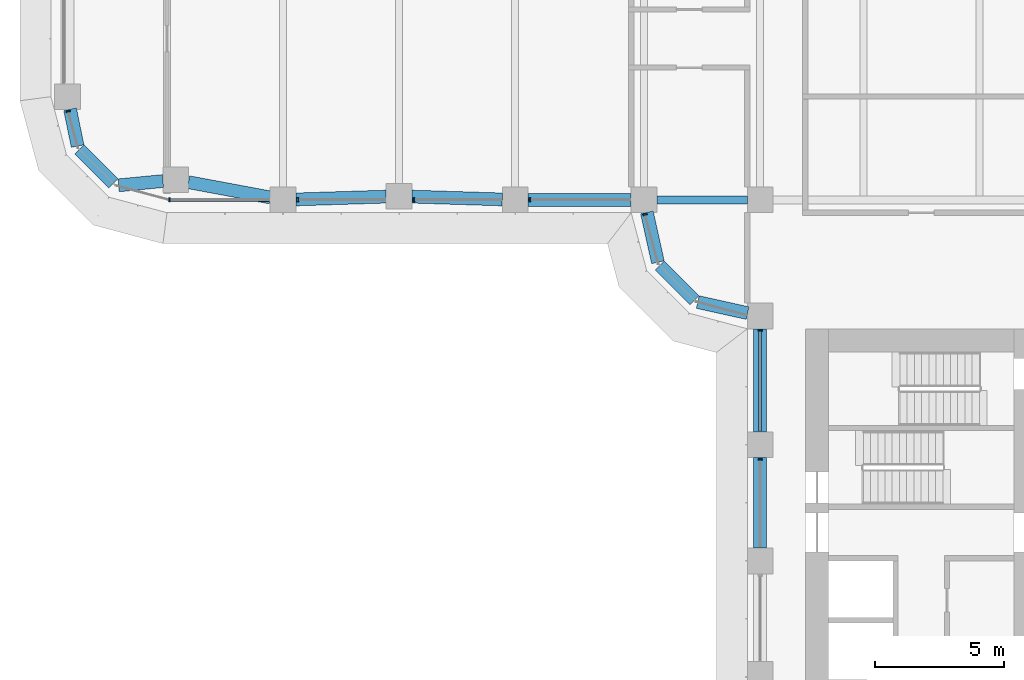
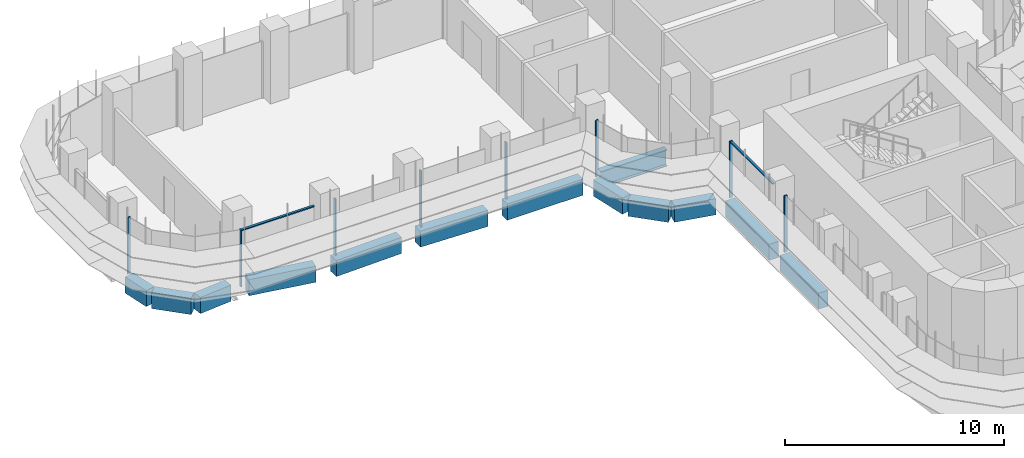
# One storey, part 3 of 23: 13 beams, 10 members, 4 elements without a shape of their own.
"""IFC4 building model written with IfcOpenShell, lengths in metres."""

import ifcopenshell
import ifcopenshell.guid

model = None  # the IFC model being written
_history = None  # IfcOwnerHistory: only IFC2X3 demands one
_inside = {}  # id of a spatial element -> (the spatial element, [elements in it])
_under = {}  # id of a project, library or spatial element -> (it, [spatial elements below it])
_declared = {}  # id of a project -> (the project, [libraries it declares])
_typed = {}  # id of a type object -> (the type object, [elements of that type])
_made_of = {}  # id of a material, layer set ... -> (it, [elements and type objects made of it])


def new_model(schema):
    """Start an empty IFC model of exactly this schema.

    Asked for "IFC4X3", IfcOpenShell would pick the latest addendum, in which some entities
    have other attributes; the version numbers below select the first issue.
    IFC2X3 requires an IfcOwnerHistory on every rooted entity: one is made here for all.
    """
    global model, _history
    if schema == "IFC4X3":
        model = ifcopenshell.file(schema_version=(4, 3, 0, 0))
    else:
        model = ifcopenshell.file(schema=schema)
    _inside.clear()
    _under.clear()
    _declared.clear()
    _typed.clear()
    _made_of.clear()
    _history = None
    if model.schema == "IFC2X3":
        org = make("IfcOrganization", Name="unknown")
        user = make(
            "IfcPersonAndOrganization",
            ThePerson=make("IfcPerson", FamilyName="unknown"),
            TheOrganization=org,
        )
        app = make(
            "IfcApplication",
            ApplicationDeveloper=org,
            Version="unknown",
            ApplicationFullName="unknown",
            ApplicationIdentifier="unknown",
        )
        _history = make(
            "IfcOwnerHistory",
            OwningUser=user,
            OwningApplication=app,
            ChangeAction="ADDED",
            CreationDate=0,
        )
    return model


def make(cls, **values):
    """One entity of the class cls with the attributes given. An attribute that is None is left unset."""
    return model.create_entity(
        cls, **{name: value for name, value in values.items() if value is not None}
    )


def rooted(cls, **values):
    """An entity with a GlobalId (a new one), such as an element, a storey or a relation."""
    return make(cls, GlobalId=ifcopenshell.guid.new(), OwnerHistory=_history, **values)


def si_unit(unit_type, name, prefix=None):
    """IfcSIUnit, for example si_unit("LENGTHUNIT", "METRE", prefix="MILLI")."""
    return make("IfcSIUnit", UnitType=unit_type, Prefix=prefix, Name=name)


def assignment(units):
    """IfcUnitAssignment: the units of a project."""
    return None if units is None else make("IfcUnitAssignment", Units=units)


def point(xyz):
    """IfcCartesianPoint."""
    return None if xyz is None else make("IfcCartesianPoint", Coordinates=xyz)


def direction(xyz):
    """IfcDirection."""
    return None if xyz is None else make("IfcDirection", DirectionRatios=xyz)


def frame(location, z_axis=None, x_axis=None):
    """IfcAxis2Placement3D, a coordinate frame: its origin and axes. An axis left out is left unset."""
    return make(
        "IfcAxis2Placement3D",
        Location=point(location),
        Axis=direction(z_axis),
        RefDirection=direction(x_axis),
    )


def frame_2d(location, x_axis=None):
    """IfcAxis2Placement2D, a coordinate frame in the plane: its origin and x axis."""
    return make(
        "IfcAxis2Placement2D", Location=point(location), RefDirection=direction(x_axis)
    )


def origin():
    """The frame at (0, 0, 0) with its axes left unset."""
    return frame((0.0, 0.0, 0.0))


def origin_2d():
    """The frame at (0, 0) in the plane with its x axis left unset."""
    return frame_2d((0.0, 0.0))


def place(relative_to, where):
    """IfcLocalPlacement: puts the frame where relative to a parent placement (None: the world)."""
    return make(
        "IfcLocalPlacement", PlacementRelTo=relative_to, RelativePlacement=where
    )


def context(
    kind, dimensions, precision=None, world=None, true_north=None, identifier=None
):
    """IfcGeometricRepresentationContext, for example the 3D "Model" context."""
    return make(
        "IfcGeometricRepresentationContext",
        ContextIdentifier=identifier,
        ContextType=kind,
        CoordinateSpaceDimension=dimensions,
        Precision=precision,
        WorldCoordinateSystem=world,
        TrueNorth=true_north,
    )


def subcontext(parent, identifier, kind, view, scale=None):
    """IfcGeometricRepresentationSubContext, for example "Body" below "Model"."""
    return make(
        "IfcGeometricRepresentationSubContext",
        ContextIdentifier=identifier,
        ContextType=kind,
        ParentContext=parent,
        TargetScale=scale,
        TargetView=view,
    )


def project(units=None, contexts=None):
    """IfcProject with its units and contexts."""
    return rooted(
        "IfcProject",
        Name="project",
        RepresentationContexts=contexts,
        UnitsInContext=assignment(units),
    )


def spatial(cls, under=None, at=None, **own):
    """A site, building, storey or space (cls), placed at a placement, below another one or the project."""
    s = rooted(cls, ObjectPlacement=at, **own)
    if under is not None:
        _under.setdefault(under.id(), (under, []))[1].append(s)
    return s


def polyline(points):
    """IfcPolyline through the points."""
    return make("IfcPolyline", Points=[point(p) for p in points])


def profile(cls, at=None, kind="AREA", **sizes):
    """A parametric profile (cls). Its sizes go by their IFC names, for example OverallWidth=200.0."""
    return make(cls, ProfileType=kind, Position=at, **sizes)


def rectangle(**sizes):
    """IfcRectangleProfileDef."""
    return profile("IfcRectangleProfileDef", **sizes)


def i_section(**sizes):
    """IfcIShapeProfileDef."""
    return profile("IfcIShapeProfileDef", **sizes)


def outline(outer, holes=None, kind="AREA"):
    """IfcArbitraryClosedProfileDef: a profile drawn as a closed curve; with holes, ...WithVoids."""
    if holes is None:
        return make("IfcArbitraryClosedProfileDef", ProfileType=kind, OuterCurve=outer)
    return make(
        "IfcArbitraryProfileDefWithVoids",
        ProfileType=kind,
        OuterCurve=outer,
        InnerCurves=holes,
    )


def extrude(swept, where, along, depth):
    """IfcExtrudedAreaSolid: the profile swept, set in the frame where, extruded along a direction by depth."""
    return make(
        "IfcExtrudedAreaSolid",
        SweptArea=swept,
        Position=where,
        ExtrudedDirection=direction(along),
        Depth=depth,
    )


def shape(context_of_items, identifier, shape_type, items):
    """IfcShapeRepresentation: the items that make up one representation, for example the "Body"."""
    return make(
        "IfcShapeRepresentation",
        ContextOfItems=context_of_items,
        RepresentationIdentifier=identifier,
        RepresentationType=shape_type,
        Items=items,
    )


def source(mapping_origin, context_of_items, identifier, shape_type, items):
    """IfcRepresentationMap: a shape defined once, which mapped items show again and again."""
    return make(
        "IfcRepresentationMap",
        MappingOrigin=mapping_origin,
        MappedRepresentation=shape(context_of_items, identifier, shape_type, items),
    )


def transform(
    local_origin,
    x_axis=None,
    y_axis=None,
    z_axis=None,
    scale=None,
    scale2=None,
    scale3=None,
    uniform=True,
):
    """IfcCartesianTransformationOperator3D, or its non-uniform kind. x_axis, y_axis, z_axis: its Axis1, 2, 3."""
    if uniform:
        return make(
            "IfcCartesianTransformationOperator3D",
            Axis1=direction(x_axis),
            Axis2=direction(y_axis),
            LocalOrigin=point(local_origin),
            Scale=scale,
            Axis3=direction(z_axis),
        )
    return make(
        "IfcCartesianTransformationOperator3DnonUniform",
        Axis1=direction(x_axis),
        Axis2=direction(y_axis),
        LocalOrigin=point(local_origin),
        Scale=scale,
        Axis3=direction(z_axis),
        Scale2=scale2,
        Scale3=scale3,
    )


def mapped(mapping_source, mapping_target):
    """IfcMappedItem: shows the shape of a source again, moved by a transform."""
    return make(
        "IfcMappedItem", MappingSource=mapping_source, MappingTarget=mapping_target
    )


def material(Name=None, Category=None):
    """IfcMaterial."""
    return make("IfcMaterial", Name=Name, Category=Category)


def material_profile(
    of_material, cross_section, Name=None, Category=None, Priority=None
):
    """IfcMaterialProfile: a cross section and its material."""
    return make(
        "IfcMaterialProfile",
        Name=Name,
        Material=of_material,
        Profile=cross_section,
        Priority=Priority,
        Category=Category,
    )


def profile_set(profiles, Name=None, composite=None):
    """IfcMaterialProfileSet."""
    return make(
        "IfcMaterialProfileSet",
        Name=Name,
        MaterialProfiles=profiles,
        CompositeProfile=composite,
    )


def made_of(thing, what):
    """Note that an element or type object is made of a material, layer set ...; save() writes the relation."""
    if what is not None:
        _made_of.setdefault(what.id(), (what, []))[1].append(thing)
    return thing


def type_object(cls, material=None, **own):
    """A type object (cls), such as IfcWallType, which elements share."""
    return made_of(rooted(cls, **own), material)


def element(
    cls,
    number,
    at=None,
    inside=None,
    cuts=None,
    type_object=None,
    material=None,
    context=None,
    identifier="Body",
    shape_type=None,
    held_by="IfcProductDefinitionShape",
    body=None,
    shapes=None,
    **own,
):
    """One element of the class cls, such as IfcWall. Its Tag is "e" and its number.

    at: its placement. inside: the storey or other place that contains it. cuts: it is an
    opening in that element (IfcRelVoidsElement). A single representation is given by context,
    identifier, shape_type and body (its items); several are given by shapes. held_by: the class
    of the entity that holds the representations. save() writes the other relations.
    """
    e = rooted(cls, Tag="e%d" % number, ObjectPlacement=at, **own)
    if body is not None:
        shapes = [shape(context, identifier, shape_type, body)]
    if shapes is not None:
        e.Representation = make(held_by, Representations=shapes)
    if inside is not None:
        _inside.setdefault(inside.id(), (inside, []))[1].append(e)
    if cuts is not None:
        rooted(
            "IfcRelVoidsElement", RelatingBuildingElement=cuts, RelatedOpeningElement=e
        )
    if type_object is not None:
        _typed.setdefault(type_object.id(), (type_object, []))[1].append(e)
    return made_of(e, material)


def aggregate(whole, parts):
    """IfcRelAggregates: a whole, such as a stair, and the parts it consists of."""
    return rooted("IfcRelAggregates", RelatingObject=whole, RelatedObjects=parts)


def save(model, path):
    """Write the relations noted so far, then the file.

    IfcRelAggregates (storeys below a building ...), IfcRelContainedInSpatialStructure (elements
    in a storey), IfcRelDefinesByType, IfcRelAssociatesMaterial and IfcRelDeclares: one each for
    every whole, place, type object, material and project.
    """
    for whole, parts in _under.values():
        aggregate(whole, parts)
    for where, things in _inside.values():
        rooted(
            "IfcRelContainedInSpatialStructure",
            RelatedElements=things,
            RelatingStructure=where,
        )
    for kind, things in _typed.values():
        rooted("IfcRelDefinesByType", RelatedObjects=things, RelatingType=kind)
    for what, things in _made_of.values():
        rooted("IfcRelAssociatesMaterial", RelatedObjects=things, RelatingMaterial=what)
    for by, libraries in _declared.values():
        rooted("IfcRelDeclares", RelatingContext=by, RelatedDefinitions=libraries)
    model.write(path)


model = new_model("IFC4")

# Units and contexts
model_context = context("Model", 3, precision=1e-05, world=origin(), true_north=direction((0.0, 1.0)))
body_context = subcontext(model_context, "Body", "Model", "MODEL_VIEW")
ifc_project = project(units=[si_unit("LENGTHUNIT", "METRE"), si_unit("AREAUNIT", "SQUARE_METRE"), si_unit("VOLUMEUNIT", "CUBIC_METRE"), si_unit("PLANEANGLEUNIT", "RADIAN"), si_unit("MASSUNIT", "GRAM", prefix="KILO")], contexts=[model_context])

# Site, building, storey
site_placement = place(None, origin())
site = spatial("IfcSite", under=ifc_project, at=site_placement, CompositionType="ELEMENT")
building_placement = place(site_placement, origin())
building = spatial("IfcBuilding", under=site, at=building_placement, Name="Zarbagh Exchange Tower", CompositionType="ELEMENT")
storey_placement = place(building_placement, frame((0.0, 0.0, 69.0)))
storey = spatial("IfcBuildingStorey", under=building, at=storey_placement, Name="L15", CompositionType="ELEMENT", Elevation=69.0)

# Beams
ifc_material_1 = material(Name="Steel ASTM A992 Gr 50", Category="steel")
ifc_material_profile_1 = material_profile(ifc_material_1, i_section(OverallWidth=0.3046875, OverallDepth=0.91943359375, WebThickness=0.017333984375, FlangeThickness=0.02783203125, at=origin_2d()), Name="W36X170")
ifc_profile_set_1 = profile_set([ifc_material_profile_1], Name="Steel ASTM A992 Gr 50")
beam_type_1 = type_object("IfcBeamType", Name="Floor girder W36X170", PredefinedType="BEAM", material=ifc_profile_set_1)
beam_1_placement = place(storey_placement, frame((-10.25, -6.25, -0.609619140625), z_axis=(1.0, 0.0, 0.0), x_axis=(0.0, 1.0, 0.0)))
element("IfcBeam", 1, at=beam_1_placement, inside=storey, type_object=beam_type_1, Name="Steel girder", PredefinedType="BEAM", context=body_context, shape_type="SweptSolid", body=[
    extrude(i_section(OverallWidth=0.3046875, OverallDepth=0.91943359375, WebThickness=0.017333984375, FlangeThickness=0.02783203125, at=origin_2d()), origin(), (0.0, 0.0, 1.0), 3.5),
])
ifc_material_2 = material(Name="Concrete C60/75", Category="concrete")
ifc_material_profile_2 = material_profile(ifc_material_2, rectangle(XDim=0.5, YDim=0.89990234375, at=origin_2d()), Name="RC spandrel beam 500 x 900 C60/75")
ifc_profile_set_2 = profile_set([ifc_material_profile_2], Name="Concrete C60/75")
beam_type_2 = type_object("IfcBeamType", Name="RC spandrel beam 500 x 900 C60/75", PredefinedType="SPANDREL", material=ifc_profile_set_2)
beam_2_placement = place(storey_placement, frame((-6.25, -19.75, -0.60009765625), z_axis=(0.0, 1.0, 0.0), x_axis=(-1.0, 0.0, 0.0)))
element("IfcBeam", 2, at=beam_2_placement, inside=storey, type_object=beam_type_2, Name="RC spandrel beam", PredefinedType="SPANDREL", context=body_context, shape_type="SweptSolid", body=[
    extrude(rectangle(XDim=0.5, YDim=0.89990234375, at=origin_2d()), origin(), (0.0, 0.0, 1.0), 3.5),
])
beam_3_placement = place(storey_placement, frame((-6.25, -15.25, -0.60009765625), z_axis=(0.0, 1.0, 0.0), x_axis=(-1.0, 0.0, 0.0)))
element("IfcBeam", 3, at=beam_3_placement, inside=storey, type_object=beam_type_2, Name="RC spandrel beam", PredefinedType="SPANDREL", context=body_context, shape_type="SweptSolid", body=[
    extrude(rectangle(XDim=0.5, YDim=0.89990234375, at=origin_2d()), origin(), (0.0, 0.0, 1.0), 4.0),
])
beam_4_placement = place(storey_placement, frame((-6.73828125, -10.64208984375, -0.60009765625), z_axis=(-0.976375426825, 0.216081063242, 0.0), x_axis=(-0.216081063242, -0.976375426825, 0.0)))
element("IfcBeam", 4, at=beam_4_placement, inside=storey, type_object=beam_type_2, Name="RC spandrel beam", PredefinedType="SPANDREL", context=body_context, shape_type="SweptSolid", body=[
    extrude(rectangle(XDim=0.5, YDim=0.89990234375, at=origin_2d()), origin(), (0.0, 0.0, 1.0), 1.978271484375),
])
beam_5_placement = place(storey_placement, frame((-8.792724609375, -10.147216796875, -0.60009765625), z_axis=(-0.707106781187, 0.707106781187, 0.0), x_axis=(-0.707106781187, -0.707106781187, 0.0)))
element("IfcBeam", 5, at=beam_5_placement, inside=storey, type_object=beam_type_2, Name="RC spandrel beam", PredefinedType="SPANDREL", context=body_context, shape_type="SweptSolid", body=[
    extrude(rectangle(XDim=0.5, YDim=0.89990234375, at=origin_2d()), origin(), (0.0, 0.0, 1.0), 1.91552734375),
])
beam_6_placement = place(storey_placement, frame((-10.214599609375, -8.669921875, -0.60009765625), z_axis=(-0.216081063242, 0.976375426825, 0.0), x_axis=(-0.976375426825, -0.216081063242, 0.0)))
element("IfcBeam", 6, at=beam_6_placement, inside=storey, type_object=beam_type_2, Name="RC spandrel beam", PredefinedType="SPANDREL", context=body_context, shape_type="SweptSolid", body=[
    extrude(rectangle(XDim=0.5, YDim=0.89990234375, at=origin_2d()), origin(), (0.0, 0.0, 1.0), 1.978271484375),
])
beam_7_placement = place(storey_placement, frame((-11.25, -6.25, -0.60009765625), z_axis=(-1.0, 0.0, 0.0), x_axis=(0.0, -1.0, 0.0)))
element("IfcBeam", 7, at=beam_7_placement, inside=storey, type_object=beam_type_2, Name="RC spandrel beam", PredefinedType="SPANDREL", context=body_context, shape_type="SweptSolid", body=[
    extrude(rectangle(XDim=0.5, YDim=0.89990234375, at=origin_2d()), origin(), (0.0, 0.0, 1.0), 4.0),
])
for number, where, z_axis, x_axis, name in (
    (8, (-16.249755859375, -6.234619140625, -0.60009765625), (-0.999514385708, 0.031160756759, 0.0), (-0.031160756759, -0.999514385708, 0.0), "RC spandrel beam"),
    (9, (-20.749755859375, -6.12548828125, -0.60009765625), (-0.999514385708, -0.031160756759, 0.0), (0.031160756759, -0.999514385708, 0.0), "RC spandrel beam"),
):
    element("IfcBeam", number, at=place(storey_placement, frame(where, z_axis=z_axis, x_axis=x_axis)), inside=storey, type_object=beam_type_2, Name=name, PredefinedType="SPANDREL", context=body_context, shape_type="SweptSolid", body=[
        extrude(rectangle(XDim=0.5, YDim=0.89990234375, at=origin_2d()), origin(), (0.0, 0.0, 1.0), 3.502197265625),
    ])
beam_8_placement = place(storey_placement, frame((-25.241455078125, -6.158447265625, -0.60009765625), z_axis=(-0.983069300761, 0.183234139565, 0.0), x_axis=(-0.183234139565, -0.983069300761, 0.0)))
element("IfcBeam", 10, at=beam_8_placement, inside=storey, type_object=beam_type_2, Name="RC spandrel beam", PredefinedType="SPANDREL", context=body_context, shape_type="SweptSolid", body=[
    extrude(rectangle(XDim=0.5, YDim=0.89990234375, at=origin_2d()), origin(), (0.0, 0.0, 1.0), 3.229736328125),
])
beam_9_placement = place(storey_placement, frame((-29.40576171875, -5.522705078125, -0.60009765625), z_axis=(-0.995431032456, -0.095483294999, 0.0), x_axis=(0.095483294999, -0.995431032456, 0.0)))
element("IfcBeam", 11, at=beam_9_placement, inside=storey, type_object=beam_type_2, Name="RC spandrel beam", PredefinedType="SPANDREL", context=body_context, shape_type="SweptSolid", body=[
    extrude(rectangle(XDim=0.5, YDim=0.89990234375, at=origin_2d()), origin(), (0.0, 0.0, 1.0), 1.725830078125),
])
beam_10_placement = place(storey_placement, frame((-31.324462890625, -5.615478515625, -0.60009765625), z_axis=(-0.707172099812, 0.707041456527, 0.0), x_axis=(-0.707041456527, -0.707172099812, 0.0)))
element("IfcBeam", 12, at=beam_10_placement, inside=storey, type_object=beam_type_2, Name="RC spandrel beam", PredefinedType="SPANDREL", context=body_context, shape_type="SweptSolid", body=[
    extrude(rectangle(XDim=0.5, YDim=0.89990234375, at=origin_2d()), origin(), (0.0, 0.0, 1.0), 1.86865234375),
])
beam_11_placement = place(storey_placement, frame((-32.714111328125, -4.16796875, -0.60009765625), z_axis=(-0.202068589164, 0.9793713725, 0.0), x_axis=(-0.9793713725, -0.202068589164, 0.0)))
element("IfcBeam", 13, at=beam_11_placement, inside=storey, type_object=beam_type_2, Name="RC spandrel beam", PredefinedType="SPANDREL", context=body_context, shape_type="SweptSolid", body=[
    extrude(rectangle(XDim=0.5, YDim=0.89990234375, at=origin_2d()), origin(), (0.0, 0.0, 1.0), 1.458251953125),
])

# Curtain wall, member
ifc_material_3 = material(Name="Anodised aluminium frame and glazing", Category="aluminium")
curtain_wall_type = type_object("IfcCurtainWallType", Name="CWA Ribbon glazing, lower zones", PredefinedType="NOTDEFINED", material=ifc_material_3)
curtain_wall_1_placement = place(storey_placement, origin())
curtain_wall_1 = element("IfcCurtainWall", 14, at=curtain_wall_1_placement, inside=storey, type_object=curtain_wall_type, Name="CWA37 curtain wall", PredefinedType="NOTDEFINED")
ifc_material_4 = material(Name="Anodised aluminium frame", Category="aluminium")
member_type_1 = type_object("IfcMemberType", Name="MUA Mullion, anodised aluminium frame", PredefinedType="MULLION", material=ifc_material_4)
shared_shape_1 = source(origin(), body_context, "Body", "SweptSolid", [
    extrude(outline(polyline([(0.0, -0.080078125), (0.06005859375, -0.080078125), (0.06005859375, 0.080078125), (0.0, 0.080078125), (0.0, -0.080078125)])), origin(), (0.0, 0.0, 1.0), 3.14990234375),
])
placement = place(storey_placement, origin())
member_1 = element("IfcMember", 15, at=placement, type_object=member_type_1, Name="CWA37 mullion 1.1", PredefinedType="MULLION", context=body_context, shape_type="MappedRepresentation", body=[
    mapped(shared_shape_1, transform((-33.087646484375, -2.7900390625, 0.0), x_axis=(0.258824779902, -0.965924289636, 0.0), y_axis=(0.965924289636, 0.258824779902, 0.0), z_axis=(0.0, 0.0, 1.0))),
])
aggregate(curtain_wall_1, [member_1])

# Curtain wall, members
curtain_wall_2_placement = place(storey_placement, origin())
curtain_wall_2 = element("IfcCurtainWall", 16, at=curtain_wall_2_placement, inside=storey, type_object=curtain_wall_type, Name="CWA40 curtain wall", PredefinedType="NOTDEFINED")
member_2 = element("IfcMember", 17, at=placement, type_object=member_type_1, Name="CWA40 mullion 1.1", PredefinedType="MULLION", context=body_context, shape_type="MappedRepresentation", body=[
    mapped(shared_shape_1, transform((-29.18408203125, -6.25, 0.0), x_axis=(1.0, 0.0, 0.0), y_axis=(0.0, 1.0, 0.0), z_axis=(0.0, 0.0, 1.0))),
])
member_3 = element("IfcMember", 18, at=placement, type_object=member_type_1, Name="CWA40 mullion 2.1", PredefinedType="MULLION", context=body_context, shape_type="MappedRepresentation", body=[
    mapped(shared_shape_1, transform((-24.2099609375, -6.25, 0.0), x_axis=(1.0, 0.0, 0.0), y_axis=(0.0, 1.0, 0.0), z_axis=(0.0, 0.0, 1.0))),
])
member_4 = element("IfcMember", 19, at=placement, type_object=member_type_1, Name="CWA40 mullion 3.1", PredefinedType="MULLION", context=body_context, shape_type="MappedRepresentation", body=[
    mapped(shared_shape_1, transform((-19.7099609375, -6.25, 0.0), x_axis=(1.0, 0.0, 0.0), y_axis=(0.0, 1.0, 0.0), z_axis=(0.0, 0.0, 1.0))),
])
member_5 = element("IfcMember", 20, at=placement, type_object=member_type_1, Name="CWA40 mullion 4.1", PredefinedType="MULLION", context=body_context, shape_type="MappedRepresentation", body=[
    mapped(shared_shape_1, transform((-15.2099609375, -6.25, 0.0), x_axis=(1.0, 0.0, 0.0), y_axis=(0.0, 1.0, 0.0), z_axis=(0.0, 0.0, 1.0))),
])

# Curtain wall, member
curtain_wall_3_placement = place(storey_placement, origin())
curtain_wall_3 = element("IfcCurtainWall", 21, at=curtain_wall_3_placement, inside=storey, type_object=curtain_wall_type, Name="CWA41 curtain wall", PredefinedType="NOTDEFINED")
member_6 = element("IfcMember", 22, at=placement, type_object=member_type_1, Name="CWA41 mullion 1.1", PredefinedType="MULLION", context=body_context, shape_type="MappedRepresentation", body=[
    mapped(shared_shape_1, transform((-10.7216796875, -6.7900390625, 0.0), x_axis=(0.258824779902, -0.965924289636, 0.0), y_axis=(0.965924289636, 0.258824779902, 0.0), z_axis=(0.0, 0.0, 1.0))),
])
aggregate(curtain_wall_3, [member_6])

# Curtain wall, members
curtain_wall_4_placement = place(storey_placement, origin())
curtain_wall_4 = element("IfcCurtainWall", 23, at=curtain_wall_4_placement, inside=storey, type_object=curtain_wall_type, Name="CWA44 curtain wall", PredefinedType="NOTDEFINED")
member_7 = element("IfcMember", 24, at=placement, type_object=member_type_1, Name="CWA44 mullion 1.1", PredefinedType="MULLION", context=body_context, shape_type="MappedRepresentation", body=[
    mapped(shared_shape_1, transform((-6.25, -11.2900390625, 0.0), x_axis=(0.0, -1.0, 0.0), y_axis=(1.0, 0.0, 0.0), z_axis=(0.0, 0.0, 1.0))),
])
member_8 = element("IfcMember", 25, at=placement, type_object=member_type_1, Name="CWA44 mullion 2.1", PredefinedType="MULLION", context=body_context, shape_type="MappedRepresentation", body=[
    mapped(shared_shape_1, transform((-6.25, -16.2900390625, 0.0), x_axis=(0.0, -1.0, 0.0), y_axis=(1.0, 0.0, 0.0), z_axis=(0.0, 0.0, 1.0))),
])
member_type_2 = type_object("IfcMemberType", Name="TRA Transom, anodised aluminium frame", PredefinedType="USERDEFINED", material=ifc_material_4)
shared_shape_2 = source(origin(), body_context, "Body", "SweptSolid", [
    extrude(outline(polyline([(-0.06005859375, -0.06005859375), (0.0, -0.06005859375), (0.0, 0.06005859375), (-0.06005859375, 0.06005859375), (-0.06005859375, -0.06005859375)])), origin(), (0.0, 0.0, 1.0), 3.860107421875),
])
member_9 = element("IfcMember", 26, at=placement, type_object=member_type_2, Name="CWA44 transom 1.1", ObjectType="TRANSOM", PredefinedType="USERDEFINED", context=body_context, shape_type="MappedRepresentation", body=[
    mapped(shared_shape_2, transform((-6.25, -11.35009765625, 3.14990234375), x_axis=(0.0, 0.0, 1.0), y_axis=(-1.0, 0.0, 0.0), z_axis=(0.0, -1.0, 0.0))),
])
aggregate(curtain_wall_4, [member_7, member_9, member_8])

# Member
shared_shape_3 = source(origin(), body_context, "Body", "SweptSolid", [
    extrude(outline(polyline([(-0.06005859375, -0.06005859375), (0.0, -0.06005859375), (0.0, 0.06005859375), (-0.06005859375, 0.06005859375), (-0.06005859375, -0.06005859375)])), origin(), (0.0, 0.0, 1.0), 3.834228515625),
])
member_10 = element("IfcMember", 27, at=placement, type_object=member_type_2, Name="CWA40 transom 1.1", ObjectType="TRANSOM", PredefinedType="USERDEFINED", context=body_context, shape_type="MappedRepresentation", body=[
    mapped(shared_shape_3, transform((-29.124267578125, -6.25, 3.14990234375), x_axis=(0.0, 0.0, 1.0), y_axis=(0.0, -1.0, 0.0), z_axis=(1.0, 0.0, 0.0))),
])

aggregate(curtain_wall_2, [member_2, member_10, member_3, member_4, member_5])

save(model, "model.ifc")
